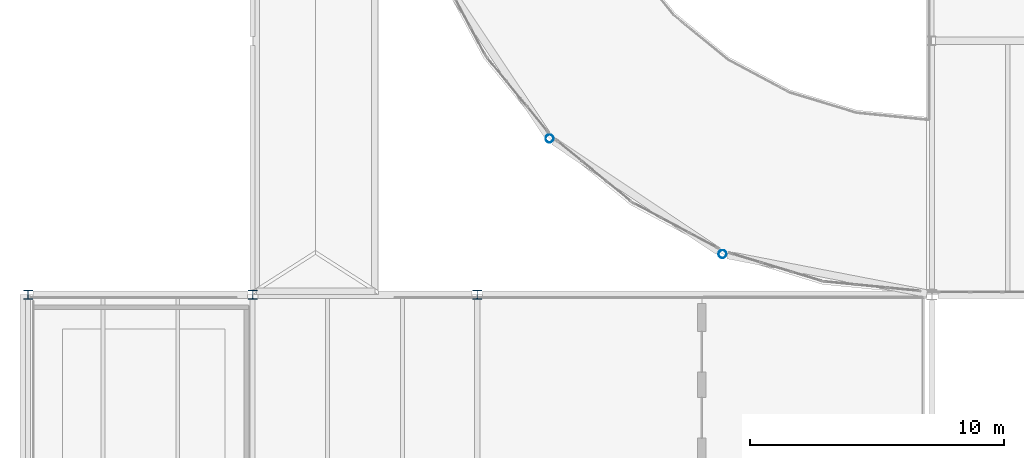
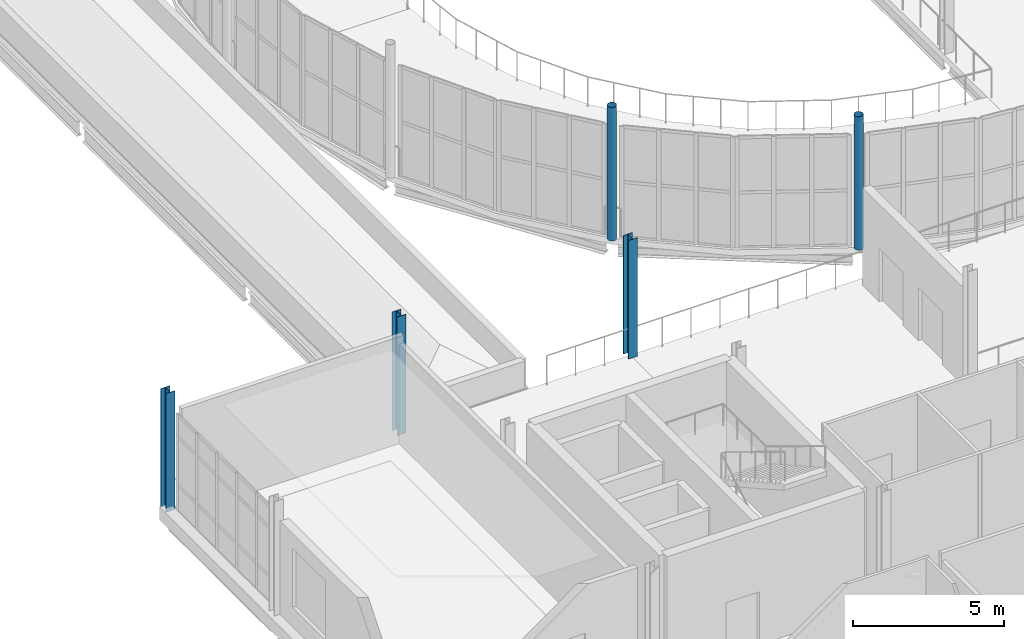
# One storey, part 2 of 112: 5 columns.
"""IFC4 building model written with IfcOpenShell, lengths in metres."""

from ifc_helpers import new_model, si_unit, direction, frame, origin, origin_2d, place, context, subcontext, project, spatial, hollow_circle, i_section, extrude, material, material_profile, profile_set, type_object, element, save


model = new_model("IFC4")

# Units and contexts
model_context = context("Model", 3, precision=1e-05, world=origin(), true_north=direction((0.0, 1.0)))
body_context = subcontext(model_context, "Body", "Model", "MODEL_VIEW")
ifc_project = project(units=[si_unit("LENGTHUNIT", "METRE"), si_unit("AREAUNIT", "SQUARE_METRE"), si_unit("VOLUMEUNIT", "CUBIC_METRE"), si_unit("PLANEANGLEUNIT", "RADIAN"), si_unit("MASSUNIT", "GRAM", prefix="KILO")], contexts=[model_context])

# Site, building, storey
site_placement = place(None, origin())
site = spatial("IfcSite", under=ifc_project, at=site_placement, CompositionType="ELEMENT")
building_placement = place(site_placement, origin())
building = spatial("IfcBuilding", under=site, at=building_placement, Name="Yeouljin Market Hall", CompositionType="ELEMENT")
storey_placement = place(building_placement, frame((0.0, 0.0, 6.0)))
storey = spatial("IfcBuildingStorey", under=building, at=storey_placement, Name="L01", CompositionType="ELEMENT", Elevation=6.0)

# Columns
ifc_material_1 = material(Name="Steel SM355", Category="steel")
ifc_material_profile_1 = material_profile(ifc_material_1, hollow_circle(Radius=0.1591796875, WallThickness=0.010009765625, at=origin_2d()), Name="CHS-318.5x10")
ifc_profile_set_1 = profile_set([ifc_material_profile_1], Name="Steel SM355")
column_type_1 = type_object("IfcColumnType", Name="Col_CHS-318.5x10", PredefinedType="COLUMN", material=ifc_profile_set_1)
for number, where, z_axis, x_axis, name in (
    (1, (27.363525390625, 37.598388671875, 0.0), (0.0, 0.0, 1.0), (1.0, 0.0, 0.0), "Column AP-W02 (L01)"),
    (2, (20.55078125, 42.15087890625, 0.0), (0.0, 0.0, 1.0), (1.0, 0.0, 0.0), "Column AP-W04 (L01)"),
):
    element("IfcColumn", number, at=place(storey_placement, frame(where, z_axis=z_axis, x_axis=x_axis)), inside=storey, type_object=column_type_1, Name=name, PredefinedType="COLUMN", context=body_context, shape_type="SweptSolid", body=[
        extrude(hollow_circle(Radius=0.1591796875, WallThickness=0.010009765625, at=origin_2d()), origin(), (0.0, 0.0, 1.0), 5.39990234375),
    ])
ifc_material_2 = material(Name="Steel SM355", Category="steel")
ifc_material_profile_2 = material_profile(ifc_material_2, i_section(OverallWidth=0.35009765625, OverallDepth=0.35009765625, WebThickness=0.011962890625, FlangeThickness=0.01904296875, FilletRadius=0.02001953125, at=origin_2d()), Name="H-350x350x12x19")
ifc_profile_set_2 = profile_set([ifc_material_profile_2], Name="Steel SM355")
column_type_2 = type_object("IfcColumnType", Name="Col_H-350x350x12x19", PredefinedType="COLUMN", material=ifc_profile_set_2)
for number, where, z_axis, x_axis, name in (
    (3, (0.0, 36.0, 0.0), (0.0, 0.0, 1.0), (1.0, 0.0, 0.0), "Column G-00-04 (L01)"),
    (4, (8.85009765625, 36.0, 0.0), (0.0, 0.0, 1.0), (1.0, 0.0, 0.0), "Column G-01-04 (L01)"),
    (5, (17.699951171875, 36.0, 0.0), (0.0, 0.0, 1.0), (1.0, 0.0, 0.0), "Column G-02-04 (L01)"),
):
    element("IfcColumn", number, at=place(storey_placement, frame(where, z_axis=z_axis, x_axis=x_axis)), inside=storey, type_object=column_type_2, Name=name, PredefinedType="COLUMN", context=body_context, shape_type="SweptSolid", body=[
        extrude(i_section(OverallWidth=0.35009765625, OverallDepth=0.35009765625, WebThickness=0.011962890625, FlangeThickness=0.01904296875, FilletRadius=0.02001953125, at=origin_2d()), origin(), (0.0, 0.0, 1.0), 4.800048828125),
    ])

save(model, "model.ifc")
